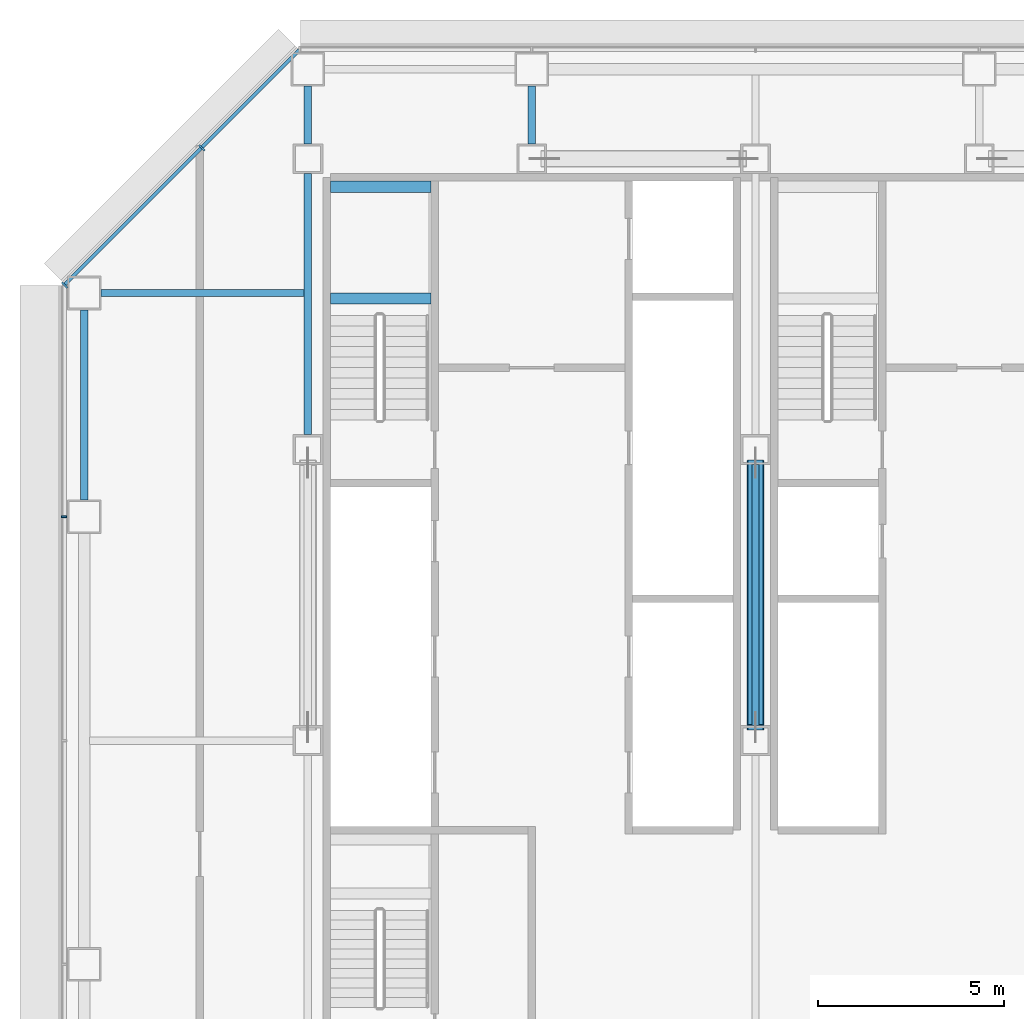
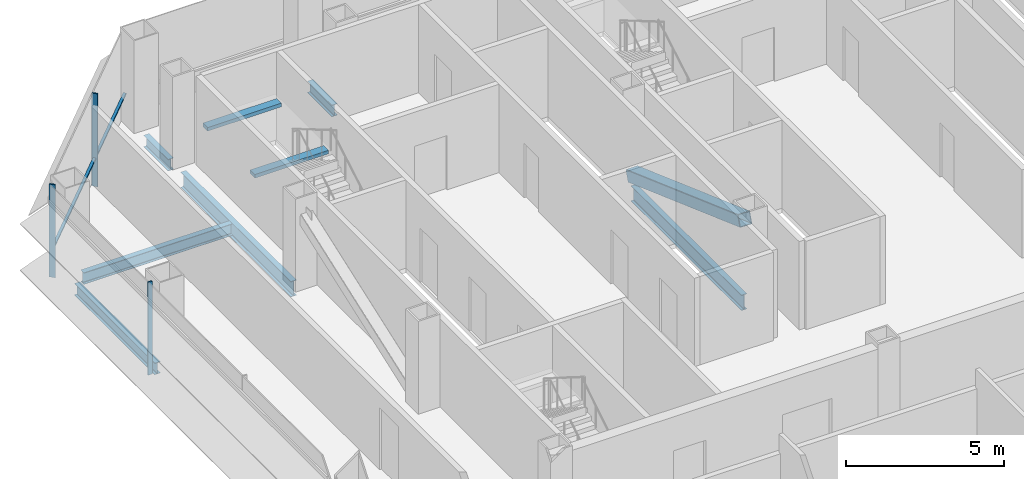
# One storey, part 11 of 27: 8 beams, 5 members, 2 elements without a shape of their own.
"""IFC4 building model written with IfcOpenShell, lengths in metres."""

from ifc_helpers import new_model, si_unit, direction, frame, origin, origin_2d, place, context, subcontext, project, spatial, rectangle, hollow_rectangle, i_section, extrude, material, material_profile, profile_set, type_object, element, aggregate, save


model = new_model("IFC4")

# Units and contexts
model_context = context("Model", 3, precision=1e-05, world=origin(), true_north=direction((0.0, 1.0)))
body_context = subcontext(model_context, "Body", "Model", "MODEL_VIEW")
ifc_project = project(units=[si_unit("LENGTHUNIT", "METRE"), si_unit("AREAUNIT", "SQUARE_METRE"), si_unit("VOLUMEUNIT", "CUBIC_METRE"), si_unit("PLANEANGLEUNIT", "RADIAN"), si_unit("MASSUNIT", "GRAM", prefix="KILO")], contexts=[model_context])

# Site, building, storey
site_placement = place(None, origin())
site = spatial("IfcSite", under=ifc_project, at=site_placement, CompositionType="ELEMENT")
building_placement = place(site_placement, origin())
building = spatial("IfcBuilding", under=site, at=building_placement, Name="Sorahane Residences", CompositionType="ELEMENT")
storey_placement = place(building_placement, frame((0.0, 0.0, 78.60009765625)))
storey = spatial("IfcBuildingStorey", under=building, at=storey_placement, Name="L16", CompositionType="ELEMENT", Elevation=78.60009765625)

# Member
ifc_material_1 = material(Name="Steel Q355B", Category="steel")
ifc_material_profile_1 = material_profile(ifc_material_1, hollow_rectangle(XDim=0.449951171875, YDim=0.449951171875, WallThickness=0.02197265625, InnerFilletRadius=0.010986328125, OuterFilletRadius=0.032958984375, at=origin_2d()), Name="RHS 450x450x22")
ifc_profile_set_1 = profile_set([ifc_material_profile_1], Name="Steel Q355B")
member_type_1 = type_object("IfcMemberType", Name="Core brace RHS 450x450x22 Q355B", PredefinedType="BRACE", material=ifc_profile_set_1)
member_1_placement = place(storey_placement, frame((18.0, 37.44580078125, 0.20849609375), z_axis=(0.0, -0.940886586011, 0.338721762313), x_axis=(1.0, 0.0, 0.0)))
element("IfcMember", 1, at=member_1_placement, inside=storey, type_object=member_type_1, Name="Core brace L16 x18-1", PredefinedType="BRACE", context=body_context, shape_type="SweptSolid", body=[
    extrude(hollow_rectangle(XDim=0.449951171875, YDim=0.449951171875, WallThickness=0.02197265625, InnerFilletRadius=0.010986328125, OuterFilletRadius=0.032958984375, at=origin_2d()), origin(), (0.0, 0.0, 1.0), 7.537109375),
])

# Curtain wall, member
ifc_material_2 = material(Name="Dark low-e glass and black anodised aluminium", Category="aluminium")
curtain_wall_type_1 = type_object("IfcCurtainWallType", Name="Curtain wall CW-1 Typical unitised wall", PredefinedType="NOTDEFINED", material=ifc_material_2)
curtain_wall_1_placement = place(storey_placement, origin())
curtain_wall_1 = element("IfcCurtainWall", 2, at=curtain_wall_1_placement, inside=storey, type_object=curtain_wall_type_1, Name="CW-1 curtain wall L16 W1", PredefinedType="NOTDEFINED")
ifc_material_3 = material(Name="Black anodised aluminium", Category="aluminium")
ifc_material_profile_2 = material_profile(ifc_material_3, rectangle(XDim=0.159912109375, YDim=0.050048828125, at=origin_2d()), Name="Curtain wall mullion CW-1 black anodised aluminium 50x160")
ifc_profile_set_2 = profile_set([ifc_material_profile_2], Name="Black anodised aluminium")
member_type_2 = type_object("IfcMemberType", Name="Curtain wall mullion CW-1 black anodised aluminium 50x160", PredefinedType="MULLION", material=ifc_profile_set_2)
member_2_placement = place(storey_placement, frame((-0.5400390625, 36.0, -0.18017578125), z_axis=(0.0, 0.0, 1.0), x_axis=(-1.0, 0.0, 0.0)))
member_2 = element("IfcMember", 3, at=member_2_placement, type_object=member_type_2, Name="CW-1 mullion L16 W1.2", PredefinedType="MULLION", context=body_context, shape_type="SweptSolid", body=[
    extrude(rectangle(XDim=0.159912109375, YDim=0.050048828125, at=origin_2d()), origin(), (0.0, 0.0, 1.0), 3.60009765625),
])
aggregate(curtain_wall_1, [member_2])

# Curtain wall, members
ifc_material_4 = material(Name="Dark low-e glass and black anodised aluminium", Category="aluminium")
curtain_wall_type_2 = type_object("IfcCurtainWallType", Name="Curtain wall CW-2 Chamfer unitised wall", PredefinedType="NOTDEFINED", material=ifc_material_4)
curtain_wall_2_placement = place(storey_placement, origin())
curtain_wall_2 = element("IfcCurtainWall", 4, at=curtain_wall_2_placement, inside=storey, type_object=curtain_wall_type_2, Name="CW-2 curtain wall L16 NW1", PredefinedType="NOTDEFINED")
ifc_material_5 = material(Name="Black anodised aluminium", Category="aluminium")
ifc_material_profile_3 = material_profile(ifc_material_5, rectangle(XDim=0.199951171875, YDim=0.050048828125, at=origin_2d()), Name="Curtain wall mullion CW-2 black anodised aluminium 50x200")
ifc_profile_set_3 = profile_set([ifc_material_profile_3], Name="Black anodised aluminium")
member_type_3 = type_object("IfcMemberType", Name="Curtain wall mullion CW-2 black anodised aluminium 50x200", PredefinedType="MULLION", material=ifc_profile_set_3)
member_3_placement = place(storey_placement, frame((3.15673828125, 45.89208984375, -0.18017578125), z_axis=(0.0, 0.0, 1.0), x_axis=(-0.707106781187, 0.707106781187, 0.0)))
member_3 = element("IfcMember", 5, at=member_3_placement, type_object=member_type_3, Name="CW-2 mullion L16 NW1.2", PredefinedType="MULLION", context=body_context, shape_type="SweptSolid", body=[
    extrude(rectangle(XDim=0.199951171875, YDim=0.050048828125, at=origin_2d()), origin(), (0.0, 0.0, 1.0), 3.60009765625),
])
member_4_placement = place(storey_placement, frame((-0.525634765625, 42.209716796875, -0.18017578125), z_axis=(0.0, 0.0, 1.0), x_axis=(-0.707106781187, 0.707106781187, 0.0)))
member_4 = element("IfcMember", 6, at=member_4_placement, type_object=member_type_3, Name="CW-2 mullion L16 NW1.3", PredefinedType="MULLION", context=body_context, shape_type="SweptSolid", body=[
    extrude(rectangle(XDim=0.199951171875, YDim=0.050048828125, at=origin_2d()), origin(), (0.0, 0.0, 1.0), 3.60009765625),
])
ifc_material_6 = material(Name="Black anodised aluminium", Category="aluminium")
ifc_material_profile_4 = material_profile(ifc_material_6, rectangle(XDim=0.10009765625, YDim=0.06005859375, at=origin_2d()), Name="Curtain wall transom CW-2 black anodised aluminium 60x100")
ifc_profile_set_4 = profile_set([ifc_material_profile_4], Name="Black anodised aluminium")
member_type_4 = type_object("IfcMemberType", Name="Curtain wall transom CW-2 black anodised aluminium 60x100", PredefinedType="USERDEFINED", material=ifc_profile_set_4)
member_5_placement = place(storey_placement, frame((5.765625, 48.51513671875, 0.89990234375), z_axis=(-0.707106781187, -0.707106781187, 0.0), x_axis=(0.707106781187, -0.707106781187, 0.0)))
member_5 = element("IfcMember", 7, at=member_5_placement, type_object=member_type_4, Name="CW-2 transom L16 NW1", ObjectType="TRANSOM", PredefinedType="USERDEFINED", context=body_context, shape_type="SweptSolid", body=[
    extrude(rectangle(XDim=0.10009765625, YDim=0.06005859375, at=origin_2d()), origin(), (0.0, 0.0, 1.0), 8.88232421875),
])
aggregate(curtain_wall_2, [member_3, member_4, member_5])

# Beams
ifc_material_7 = material(Name="Concrete C40", Category="concrete")
ifc_material_profile_5 = material_profile(ifc_material_7, rectangle(XDim=0.300048828125, YDim=0.139892578125, at=origin_2d()), Name="300x140")
ifc_profile_set_5 = profile_set([ifc_material_profile_5], Name="Concrete C40")
beam_type_1 = type_object("IfcBeamType", Name="RC landing beam 300 x 140 Concrete C40", PredefinedType="BEAM", material=ifc_profile_set_5)
for number, where, z_axis, x_axis, name in (
    (8, (6.60009765625, 41.85009765625, 1.52978515625), (1.0, 0.0, 0.0), (0.0, 1.0, 0.0), "Landing beam"),
    (9, (6.60009765625, 44.85009765625, 1.52978515625), (1.0, 0.0, 0.0), (0.0, 1.0, 0.0), "Landing beam"),
):
    element("IfcBeam", number, at=place(storey_placement, frame(where, z_axis=z_axis, x_axis=x_axis)), inside=storey, type_object=beam_type_1, Name=name, PredefinedType="BEAM", context=body_context, shape_type="SweptSolid", body=[
        extrude(rectangle(XDim=0.300048828125, YDim=0.139892578125, at=origin_2d()), origin(), (0.0, 0.0, 1.0), 2.699951171875),
    ])
ifc_material_8 = material(Name="Steel Q355B", Category="steel")
ifc_material_profile_6 = material_profile(ifc_material_8, i_section(OverallWidth=0.199951171875, OverallDepth=0.449951171875, WebThickness=0.009033203125, FlangeThickness=0.013916015625, FilletRadius=0.02001953125, at=origin_2d()), Name="HN 450x200x9x14")
ifc_profile_set_6 = profile_set([ifc_material_profile_6], Name="Steel Q355B")
beam_type_2 = type_object("IfcBeamType", Name="Steel floor beam HN 450x200x9x14 Q355B", PredefinedType="BEAM", material=ifc_profile_set_6)
beam_1_placement = place(storey_placement, frame((0.0, 36.449951171875, -0.405029296875), z_axis=(0.0, 1.0, 0.0), x_axis=(-1.0, 0.0, 0.0)))
element("IfcBeam", 10, at=beam_1_placement, inside=storey, type_object=beam_type_2, Name="Beam L16 020", PredefinedType="BEAM", context=body_context, shape_type="SweptSolid", body=[
    extrude(i_section(OverallWidth=0.199951171875, OverallDepth=0.449951171875, WebThickness=0.009033203125, FlangeThickness=0.013916015625, FilletRadius=0.02001953125, at=origin_2d()), origin(), (0.0, 0.0, 1.0), 5.10009765625),
])
for number, where, z_axis, x_axis, name in (
    (11, (6.0, 46.0, -0.405029296875), (0.0, 1.0, 0.0), (-1.0, 0.0, 0.0), "Beam L16 026"),
    (12, (12.0, 46.0, -0.405029296875), (0.0, 1.0, 0.0), (-1.0, 0.0, 0.0), "Beam L16 028"),
):
    element("IfcBeam", number, at=place(storey_placement, frame(where, z_axis=z_axis, x_axis=x_axis)), inside=storey, type_object=beam_type_2, Name=name, PredefinedType="BEAM", context=body_context, shape_type="SweptSolid", body=[
        extrude(i_section(OverallWidth=0.199951171875, OverallDepth=0.449951171875, WebThickness=0.009033203125, FlangeThickness=0.013916015625, FilletRadius=0.02001953125, at=origin_2d()), origin(), (0.0, 0.0, 1.0), 1.550048828125),
    ])
beam_2_placement = place(storey_placement, frame((0.449951171875, 42.0, -0.405029296875), z_axis=(1.0, 0.0, 0.0), x_axis=(0.0, 1.0, 0.0)))
element("IfcBeam", 13, at=beam_2_placement, inside=storey, type_object=beam_type_2, Name="Beam L16 079", PredefinedType="BEAM", context=body_context, shape_type="SweptSolid", body=[
    extrude(i_section(OverallWidth=0.199951171875, OverallDepth=0.449951171875, WebThickness=0.009033203125, FlangeThickness=0.013916015625, FilletRadius=0.02001953125, at=origin_2d()), origin(), (0.0, 0.0, 1.0), 5.449951171875),
])
ifc_material_9 = material(Name="Steel Q355B", Category="steel")
ifc_material_profile_7 = material_profile(ifc_material_9, i_section(OverallWidth=0.199951171875, OverallDepth=0.60009765625, WebThickness=0.010986328125, FlangeThickness=0.01708984375, FilletRadius=0.02392578125, at=origin_2d()), Name="HN 600x200x11x17")
ifc_profile_set_7 = profile_set([ifc_material_profile_7], Name="Steel Q355B")
beam_type_3 = type_object("IfcBeamType", Name="Steel floor beam HN 600x200x11x17 Q355B", PredefinedType="BEAM", material=ifc_profile_set_7)
for number, where, z_axis, x_axis, name in (
    (14, (6.0, 38.199951171875, -0.47998046875), (0.0, 1.0, 0.0), (-1.0, 0.0, 0.0), "Beam L16 025"),
    (15, (18.0, 30.39990234375, -0.47998046875), (0.0, 1.0, 0.0), (-1.0, 0.0, 0.0), "Beam L16 032"),
):
    element("IfcBeam", number, at=place(storey_placement, frame(where, z_axis=z_axis, x_axis=x_axis)), inside=storey, type_object=beam_type_3, Name=name, PredefinedType="BEAM", context=body_context, shape_type="SweptSolid", body=[
        extrude(i_section(OverallWidth=0.199951171875, OverallDepth=0.60009765625, WebThickness=0.010986328125, FlangeThickness=0.01708984375, FilletRadius=0.02392578125, at=origin_2d()), origin(), (0.0, 0.0, 1.0), 7.0),
    ])

save(model, "model.ifc")
